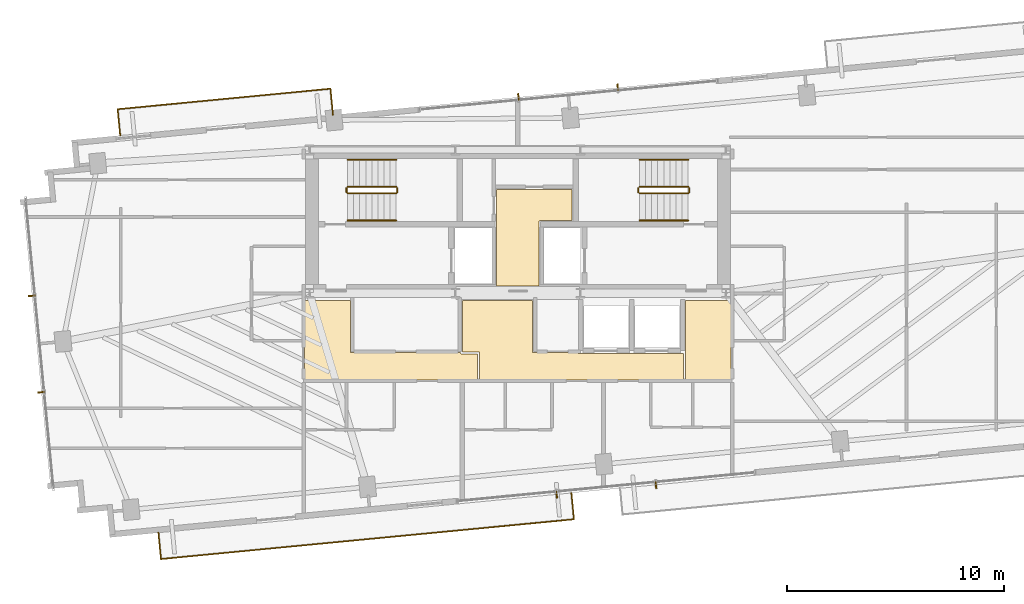
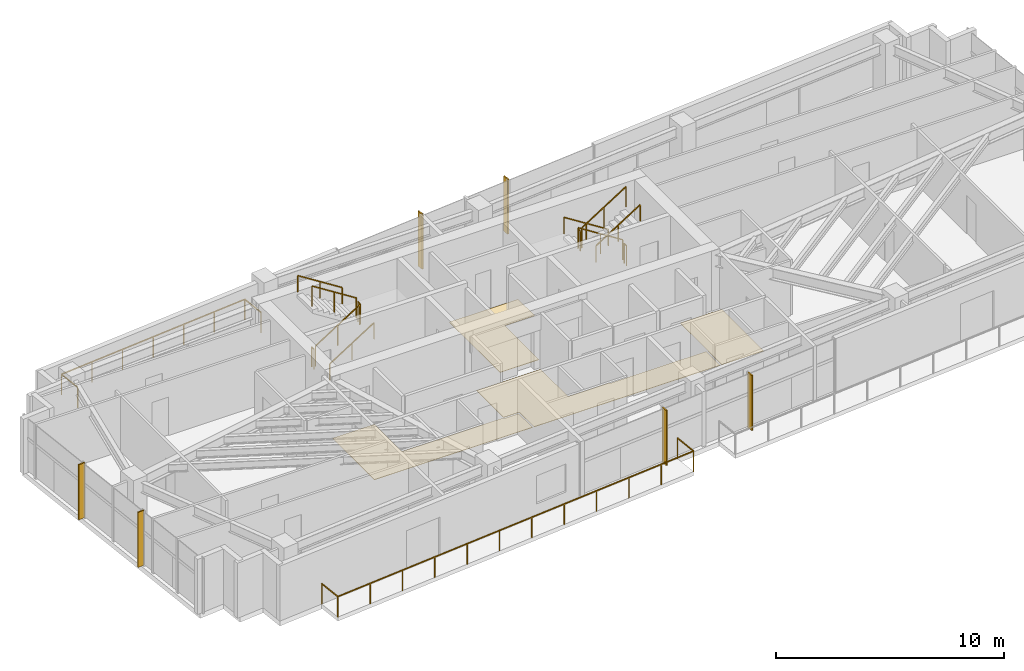
# One storey, part 17 of 18: 14 railings, 6 shading devices, 4 coverings.
"""IFC4 building model written with IfcOpenShell, lengths in metres."""

from ifc_helpers import new_model, si_unit, direction, frame, origin, origin_2d, place, context, subcontext, project, spatial, polyline, rectangle, outline, extrude, source, transform, mapped, material, layer, layer_set, type_object, type_shapes, element, save


model = new_model("IFC4")

# Units and contexts
model_context = context("Model", 3, precision=1e-05, world=origin(), true_north=direction((0.0, 1.0)))
body_context = subcontext(model_context, "Body", "Model", "MODEL_VIEW")
ifc_project = project(units=[si_unit("LENGTHUNIT", "METRE"), si_unit("AREAUNIT", "SQUARE_METRE"), si_unit("VOLUMEUNIT", "CUBIC_METRE"), si_unit("PLANEANGLEUNIT", "RADIAN"), si_unit("MASSUNIT", "GRAM", prefix="KILO")], contexts=[model_context])

# Site, building, storey
site_placement = place(None, origin())
site = spatial("IfcSite", under=ifc_project, at=site_placement, CompositionType="ELEMENT")
building_placement = place(site_placement, origin())
building = spatial("IfcBuilding", under=site, at=building_placement, Name="Astriad Promenade Condominiums", CompositionType="ELEMENT")
storey_placement = place(building_placement, frame((0.0, 0.0, 198.60009765625)))
storey = spatial("IfcBuildingStorey", under=building, at=storey_placement, Name="L57", CompositionType="ELEMENT", Elevation=198.60009765625)

# Coverings
ifc_material_1 = material(Name="Polished Lakefront Terrazzo Flooring")
ifc_layer = layer(ifc_material_1, 0.02001953125)
ifc_layer_set = layer_set([ifc_layer], Name="Polished Lakefront Terrazzo Flooring")
covering_type = type_object("IfcCoveringType", Name="COV-FLOR-TERRAZZO-20", PredefinedType="FLOORING", material=ifc_layer_set)
covering_1_placement = place(storey_placement, origin())
element("IfcCovering", 1, at=covering_1_placement, inside=storey, type_object=covering_type, Name="FLR-L57-CSL", PredefinedType="FLOORING", context=body_context, shape_type="SweptSolid", body=[
    extrude(outline(polyline([(36.97998046875, 20.699951171875), (36.97998046875, 17.739990234375), (35.02001953125, 17.739990234375), (35.02001953125, 22.179931640625), (38.5, 22.179931640625), (38.5, 20.739990234375), (37.02001953125, 20.739990234375), (37.01611328125, 20.73974609375), (37.01220703125, 20.7392578125), (37.00830078125, 20.73828125), (37.004638671875, 20.737060546875), (37.001220703125, 20.7353515625), (36.997802734375, 20.7333984375), (36.99462890625, 20.73095703125), (36.99169921875, 20.728271484375), (36.989013671875, 20.725341796875), (36.98681640625, 20.72216796875), (36.984619140625, 20.718994140625), (36.98291015625, 20.71533203125), (36.981689453125, 20.711669921875), (36.980712890625, 20.707763671875), (36.980224609375, 20.703857421875), (36.97998046875, 20.699951171875)])), origin(), (0.0, 0.0, 1.0), 0.02001953125),
])
covering_2_placement = place(storey_placement, origin())
element("IfcCovering", 2, at=covering_2_placement, inside=storey, type_object=covering_type, Name="FLR-L57-LLB", PredefinedType="FLOORING", context=body_context, shape_type="SweptSolid", body=[
    extrude(outline(polyline([(43.639892578125, 14.610107421875), (43.639892578125, 13.39990234375), (34.239990234375, 13.39990234375), (34.239990234375, 14.64990234375), (34.23974609375, 14.65380859375), (34.2392578125, 14.65771484375), (34.23828125, 14.66162109375), (34.237060546875, 14.665283203125), (34.2353515625, 14.6689453125), (34.2333984375, 14.672119140625), (34.23095703125, 14.67529296875), (34.228271484375, 14.67822265625), (34.225341796875, 14.680908203125), (34.22216796875, 14.683349609375), (34.218994140625, 14.685302734375), (34.21533203125, 14.68701171875), (34.211669921875, 14.688232421875), (34.207763671875, 14.689208984375), (34.203857421875, 14.689697265625), (34.199951171875, 14.68994140625), (33.43994140625, 14.68994140625), (33.43994140625, 17.06005859375), (36.679931640625, 17.06005859375), (36.679931640625, 14.699951171875), (36.68017578125, 14.696044921875), (36.680908203125, 14.692138671875), (36.681640625, 14.6884765625), (36.68310546875, 14.684814453125), (36.684814453125, 14.68115234375), (36.686767578125, 14.677734375), (36.689208984375, 14.674560546875), (36.691650390625, 14.671630859375), (36.694580078125, 14.669189453125), (36.69775390625, 14.666748046875), (36.701171875, 14.664794921875), (36.70458984375, 14.6630859375), (36.70849609375, 14.66162109375), (36.712158203125, 14.660888671875), (36.716064453125, 14.66015625), (36.719970703125, 14.659912109375), (38.760009765625, 14.659912109375), (38.760009765625, 14.64990234375), (38.76025390625, 14.64599609375), (38.7607421875, 14.64208984375), (38.76171875, 14.638427734375), (38.762939453125, 14.634765625), (38.7646484375, 14.631103515625), (38.7666015625, 14.627685546875), (38.76904296875, 14.62451171875), (38.771728515625, 14.62158203125), (38.774658203125, 14.619140625), (38.77783203125, 14.61669921875), (38.781005859375, 14.61474609375), (38.78466796875, 14.613037109375), (38.788330078125, 14.61181640625), (38.792236328125, 14.61083984375), (38.796142578125, 14.610107421875), (38.800048828125, 14.610107421875), (43.639892578125, 14.610107421875)])), origin(), (0.0, 0.0, 1.0), 0.02001953125),
])
covering_3_placement = place(storey_placement, origin())
element("IfcCovering", 3, at=covering_3_placement, inside=storey, type_object=covering_type, Name="FLR-L57-COR-1", PredefinedType="FLOORING", context=body_context, shape_type="SweptSolid", body=[
    extrude(outline(polyline([(43.72998046875, 13.39990234375), (43.72998046875, 14.62353515625), (43.73095703125, 14.62451171875), (43.7333984375, 14.627685546875), (43.7353515625, 14.631103515625), (43.737060546875, 14.634765625), (43.73828125, 14.638427734375), (43.7392578125, 14.64208984375), (43.73974609375, 14.64599609375), (43.739990234375, 14.64990234375), (43.739990234375, 17.06005859375), (45.840087890625, 17.06005859375), (45.840087890625, 13.39990234375), (43.72998046875, 13.39990234375)])), origin(), (0.0, 0.0, 1.0), 0.02001953125),
])
covering_4_placement = place(storey_placement, origin())
element("IfcCovering", 4, at=covering_4_placement, inside=storey, type_object=covering_type, Name="FLR-L57-COR-2", PredefinedType="FLOORING", context=body_context, shape_type="SweptSolid", body=[
    extrude(outline(polyline([(26.159912109375, 13.39990234375), (26.159912109375, 17.06005859375), (28.280029296875, 17.06005859375), (28.280029296875, 14.699951171875), (28.2802734375, 14.696044921875), (28.28076171875, 14.692138671875), (28.28173828125, 14.6884765625), (28.282958984375, 14.684814453125), (28.28466796875, 14.68115234375), (28.28662109375, 14.677734375), (28.2890625, 14.674560546875), (28.291748046875, 14.671630859375), (28.294677734375, 14.669189453125), (28.2978515625, 14.666748046875), (28.301025390625, 14.664794921875), (28.3046875, 14.6630859375), (28.308349609375, 14.66162109375), (28.312255859375, 14.660888671875), (28.316162109375, 14.66015625), (28.320068359375, 14.659912109375), (33.35009765625, 14.659912109375), (33.35009765625, 14.64892578125), (33.35009765625, 14.64501953125), (33.350830078125, 14.64111328125), (33.35107421875, 14.64013671875), (33.351318359375, 14.639404296875), (33.351318359375, 14.638427734375), (33.352294921875, 14.634521484375), (33.353759765625, 14.630859375), (33.3544921875, 14.629150390625), (33.356201171875, 14.6259765625), (33.356689453125, 14.625), (33.35888671875, 14.62158203125), (33.3603515625, 14.61962890625), (33.36083984375, 14.618896484375), (33.361083984375, 14.61865234375), (33.361328125, 14.618408203125), (33.361572265625, 14.617919921875), (33.36328125, 14.615966796875), (33.365966796875, 14.61328125), (33.367919921875, 14.611572265625), (33.368408203125, 14.611328125), (33.36865234375, 14.611083984375), (33.368896484375, 14.61083984375), (33.36962890625, 14.6103515625), (33.37158203125, 14.60888671875), (33.375, 14.606689453125), (33.3759765625, 14.606201171875), (33.379150390625, 14.6044921875), (33.3798828125, 14.604248046875), (33.380859375, 14.603759765625), (33.384521484375, 14.602294921875), (33.388427734375, 14.601318359375), (33.389404296875, 14.601318359375), (33.39013671875, 14.60107421875), (33.39111328125, 14.600830078125), (33.39501953125, 14.60009765625), (33.39892578125, 14.60009765625), (34.14990234375, 14.60009765625), (34.14990234375, 13.39990234375), (26.159912109375, 13.39990234375)])), origin(), (0.0, 0.0, 1.0), 0.02001953125),
])

# Shading devices
ifc_material_2 = material(Name="Anodised aluminium 6063-T6 Black Fin", Category="aluminium")
shading_device_type = type_object("IfcShadingDeviceType", Name="FIN-BLACK-260", PredefinedType="USERDEFINED", material=ifc_material_2)
shared_shape_1 = source(origin(), body_context, "Body", "SweptSolid", [
    extrude(rectangle(XDim=0.06494140625, YDim=0.320068359375, at=origin_2d()), origin(), (0.0, 0.0, 1.0), 2.93994140625),
])
type_shapes(shading_device_type, [shared_shape_1])
for number, where, z_axis, x_axis, name in (
    (5, (14.021484375, 12.83203125, 0.0), (0.0, 0.0, 1.0), (-0.09584575252, 0.995396198367, 0.0), "CW-L57-W-FIN-01"),
    (6, (13.59326171875, 17.278076171875, 0.0), (0.0, 0.0, 1.0), (-0.09584575252, 0.995396198367, 0.0), "CW-L57-W-FIN-02"),
    (7, (36.02783203125, 26.447265625, 0.0), (0.0, 0.0, 1.0), (0.995396198367, 0.09584575252, 0.0), "CW-L57-N-FIN-01"),
    (8, (40.606689453125, 26.88818359375, 0.0), (0.0, 0.0, 1.0), (0.995396198367, 0.09584575252, 0.0), "CW-L57-N-FIN-02"),
    (9, (42.3720703125, 8.552734375, 0.0), (0.0, 0.0, 1.0), (-0.995396198367, -0.09584575252, 0.0), "CW-L57-S-FIN-01"),
    (10, (37.793212890625, 8.11181640625, 0.0), (0.0, 0.0, 1.0), (-0.995396198367, -0.09584575252, 0.0), "CW-L57-S-FIN-02"),
):
    element("IfcShadingDevice", number, at=place(storey_placement, frame(where, z_axis=z_axis, x_axis=x_axis)), inside=storey, type_object=shading_device_type, Name=name, ObjectType="FIN", PredefinedType="USERDEFINED", context=body_context, shape_type="MappedRepresentation", body=[
        mapped(shared_shape_1, transform((0.0, 0.0, 0.0), scale=1.0)),
    ])

# Railings
ifc_material_3 = material(Name="Laminated Glass and Stainless Steel Balustrade", Category="steel")
railing_type_1 = type_object("IfcRailingType", Name="GRD-BALC-1120", PredefinedType="BALUSTRADE", material=ifc_material_3)
shared_shape_2 = source(origin(), body_context, "Body", "SweptSolid", [
    extrude(rectangle(XDim=0.048095703125, YDim=0.048095703125, at=origin_2d()), frame((0.0, 0.0, 1.09619140625), z_axis=(0.095857307208, -0.99539508571, 0.0), x_axis=(0.99539508571, 0.095857307208, 0.0)), (0.0, 0.0, 1.0), 1.219970703125),
    extrude(rectangle(XDim=0.048095703125, YDim=0.048095703125, at=origin_2d()), frame((0.116943359375, -1.21435546875, 1.09619140625), z_axis=(0.99539639391, 0.095843721707, 0.0), x_axis=(-0.095843721707, 0.99539639391, 0.0)), (0.0, 0.0, 1.0), 19.130126953125),
    extrude(rectangle(XDim=0.048095703125, YDim=0.048095703125, at=origin_2d()), frame((19.158935546875, 0.619140625, 1.09619140625), z_axis=(-0.095857307208, 0.99539508571, 0.0), x_axis=(-0.99539508571, -0.095857307208, 0.0)), (0.0, 0.0, 1.0), 1.219970703125),
    extrude(rectangle(XDim=0.0419921875, YDim=0.0419921875, at=origin_2d()), origin(), (0.0, 0.0, 1.0), 1.072021484375),
    extrude(rectangle(XDim=0.0419921875, YDim=0.0419921875, at=origin_2d()), frame((0.116943359375, -1.21435546875, 0.0)), (0.0, 0.0, 1.0), 1.072021484375),
    extrude(rectangle(XDim=0.0419921875, YDim=0.0419921875, at=origin_2d()), frame((1.84814453125, -1.047607421875, 0.0)), (0.0, 0.0, 1.0), 1.072021484375),
    extrude(rectangle(XDim=0.0419921875, YDim=0.0419921875, at=origin_2d()), frame((3.5791015625, -0.881103515625, 0.0)), (0.0, 0.0, 1.0), 1.072021484375),
    extrude(rectangle(XDim=0.0419921875, YDim=0.0419921875, at=origin_2d()), frame((5.310302734375, -0.71435546875, 0.0)), (0.0, 0.0, 1.0), 1.072021484375),
    extrude(rectangle(XDim=0.0419921875, YDim=0.0419921875, at=origin_2d()), frame((7.041259765625, -0.547607421875, 0.0)), (0.0, 0.0, 1.0), 1.072021484375),
    extrude(rectangle(XDim=0.0419921875, YDim=0.0419921875, at=origin_2d()), frame((8.7724609375, -0.380859375, 0.0)), (0.0, 0.0, 1.0), 1.072021484375),
    extrude(rectangle(XDim=0.0419921875, YDim=0.0419921875, at=origin_2d()), frame((10.50341796875, -0.21435546875, 0.0)), (0.0, 0.0, 1.0), 1.072021484375),
    extrude(rectangle(XDim=0.0419921875, YDim=0.0419921875, at=origin_2d()), frame((12.234619140625, -0.047607421875, 0.0)), (0.0, 0.0, 1.0), 1.072021484375),
    extrude(rectangle(XDim=0.0419921875, YDim=0.0419921875, at=origin_2d()), frame((13.965576171875, 0.119140625, 0.0)), (0.0, 0.0, 1.0), 1.072021484375),
    extrude(rectangle(XDim=0.0419921875, YDim=0.0419921875, at=origin_2d()), frame((15.69677734375, 0.285888671875, 0.0)), (0.0, 0.0, 1.0), 1.072021484375),
    extrude(rectangle(XDim=0.0419921875, YDim=0.0419921875, at=origin_2d()), frame((17.427734375, 0.452392578125, 0.0)), (0.0, 0.0, 1.0), 1.072021484375),
    extrude(rectangle(XDim=0.0419921875, YDim=0.0419921875, at=origin_2d()), frame((19.158935546875, 0.619140625, 0.0)), (0.0, 0.0, 1.0), 1.072021484375),
    extrude(rectangle(XDim=0.0419921875, YDim=0.0419921875, at=origin_2d()), frame((19.0419921875, 1.83349609375, 0.0)), (0.0, 0.0, 1.0), 1.072021484375),
])
railing_1_placement = place(storey_placement, frame((19.42919921875, 6.353759765625, 0.0)))
element("IfcRailing", 11, at=railing_1_placement, inside=storey, type_object=railing_type_1, Name="GRD-BALC-L57-SW", PredefinedType="BALUSTRADE", context=body_context, shape_type="MappedRepresentation", body=[
    mapped(shared_shape_2, transform((0.0, 0.0, 0.0), scale=1.0)),
])
shared_shape_3 = source(origin(), body_context, "Body", "SweptSolid", [
    extrude(rectangle(XDim=0.048095703125, YDim=0.048095703125, at=origin_2d()), frame((0.0, 0.0, 1.09619140625), z_axis=(-0.096055582315, 0.995375971734, 0.0), x_axis=(-0.995375971734, -0.096055582315, 0.0)), (0.0, 0.0, 1.0), 1.219970703125),
    extrude(rectangle(XDim=0.048095703125, YDim=0.048095703125, at=origin_2d()), frame((-0.1171875, 1.21435546875, 1.09619140625), z_axis=(-0.99539395209, -0.095869078138, 0.0), x_axis=(0.095869078138, -0.99539395209, 0.0)), (0.0, 0.0, 1.0), 9.85791015625),
    extrude(rectangle(XDim=0.048095703125, YDim=0.048095703125, at=origin_2d()), frame((-9.9296875, 0.269287109375, 1.09619140625), z_axis=(0.095857307208, -0.99539508571, 0.0), x_axis=(0.99539508571, 0.095857307208, 0.0)), (0.0, 0.0, 1.0), 1.219970703125),
    extrude(rectangle(XDim=0.0419921875, YDim=0.0419921875, at=origin_2d()), origin(), (0.0, 0.0, 1.0), 1.072021484375),
    extrude(rectangle(XDim=0.0419921875, YDim=0.0419921875, at=origin_2d()), frame((-0.1171875, 1.21435546875, 0.0)), (0.0, 0.0, 1.0), 1.072021484375),
    extrude(rectangle(XDim=0.0419921875, YDim=0.0419921875, at=origin_2d()), frame((-1.752685546875, 1.056884765625, 0.0)), (0.0, 0.0, 1.0), 1.072021484375),
    extrude(rectangle(XDim=0.0419921875, YDim=0.0419921875, at=origin_2d()), frame((-3.387939453125, 0.8994140625, 0.0)), (0.0, 0.0, 1.0), 1.072021484375),
    extrude(rectangle(XDim=0.0419921875, YDim=0.0419921875, at=origin_2d()), frame((-5.0234375, 0.74169921875, 0.0)), (0.0, 0.0, 1.0), 1.072021484375),
    extrude(rectangle(XDim=0.0419921875, YDim=0.0419921875, at=origin_2d()), frame((-6.658935546875, 0.584228515625, 0.0)), (0.0, 0.0, 1.0), 1.072021484375),
    extrude(rectangle(XDim=0.0419921875, YDim=0.0419921875, at=origin_2d()), frame((-8.294189453125, 0.4267578125, 0.0)), (0.0, 0.0, 1.0), 1.072021484375),
    extrude(rectangle(XDim=0.0419921875, YDim=0.0419921875, at=origin_2d()), frame((-9.9296875, 0.269287109375, 0.0)), (0.0, 0.0, 1.0), 1.072021484375),
    extrude(rectangle(XDim=0.0419921875, YDim=0.0419921875, at=origin_2d()), frame((-9.812744140625, -0.945068359375, 0.0)), (0.0, 0.0, 1.0), 1.072021484375),
])
type_shapes(railing_type_1, [shared_shape_2, shared_shape_3])
railing_2_placement = place(storey_placement, frame((27.478515625, 25.614013671875, 0.0)))
element("IfcRailing", 12, at=railing_2_placement, inside=storey, type_object=railing_type_1, Name="GRD-BALC-L57-NW", PredefinedType="BALUSTRADE", context=body_context, shape_type="MappedRepresentation", body=[
    mapped(shared_shape_3, transform((0.0, 0.0, 0.0), scale=1.0)),
])
ifc_material_4 = material(Name="Painted Galvanised Steel Guardrail", Category="steel")
railing_type_2 = type_object("IfcRailingType", Name="GRD-STAIR-1100", PredefinedType="GUARDRAIL", material=ifc_material_4)
shared_shape_4 = source(origin(), body_context, "Body", "SweptSolid", [
    extrude(rectangle(XDim=0.048095703125, YDim=0.048095703125, at=origin_2d()), frame((0.0, 0.0, 1.076171875), z_axis=(0.0, 1.0, 0.0), x_axis=(-1.0, 0.0, 0.0)), (0.0, 0.0, 1.0), 0.199951171875),
    extrude(rectangle(XDim=0.0419921875, YDim=0.0419921875, at=origin_2d()), origin(), (0.0, 0.0, 1.0), 1.052001953125),
    extrude(rectangle(XDim=0.0419921875, YDim=0.0419921875, at=origin_2d()), frame((0.0, 0.199951171875, 0.0)), (0.0, 0.0, 1.0), 1.052001953125),
])
for number, where, name in (
    (13, (30.43994140625, 22.050048828125, 1.599853515625), "L57 ST-1 stair guard 2"),
    (14, (28.10009765625, 22.050048828125, 0.0), "L57 ST-1 stair guard 4"),
):
    element("IfcRailing", number, at=place(storey_placement, frame(where)), inside=storey, type_object=railing_type_2, Name=name, PredefinedType="GUARDRAIL", context=body_context, shape_type="MappedRepresentation", body=[
        mapped(shared_shape_4, transform((0.0, 0.0, 0.0), scale=1.0)),
    ])
shared_shape_5 = source(origin(), body_context, "Body", "SweptSolid", [
    extrude(rectangle(XDim=0.048095703125, YDim=0.048095703125, at=origin_2d()), frame((0.0, 0.0, 1.076171875), z_axis=(0.84418770128, 0.0, 0.536047689118), x_axis=(0.0, 1.0, 0.0)), (0.0, 0.0, 1.0), 2.6533203125),
    extrude(rectangle(XDim=0.0419921875, YDim=0.0419921875, at=origin_2d()), origin(), (0.0, 0.0, 1.0), 1.052001953125),
    extrude(rectangle(XDim=0.0419921875, YDim=0.0419921875, at=origin_2d()), frame((1.1201171875, 0.0, 0.711181640625)), (0.0, 0.0, 1.0), 1.052001953125),
    extrude(rectangle(XDim=0.0419921875, YDim=0.0419921875, at=origin_2d()), frame((2.239990234375, 0.0, 1.42236328125)), (0.0, 0.0, 1.0), 1.052001953125),
])
railing_3_placement = place(storey_placement, frame((41.610107421875, 22.0, 1.777587890625)))
element("IfcRailing", 15, at=railing_3_placement, inside=storey, type_object=railing_type_2, Name="L57 ST-2 stair guard 3", PredefinedType="GUARDRAIL", context=body_context, shape_type="MappedRepresentation", body=[
    mapped(shared_shape_5, transform((0.0, 0.0, 0.0), scale=1.0)),
])
shared_shape_6 = source(origin(), body_context, "Body", "SweptSolid", [
    extrude(rectangle(XDim=0.048095703125, YDim=0.048095703125, at=origin_2d()), frame((0.0, 0.0, 1.076171875), z_axis=(-0.8442293374, 0.0, 0.53598211339), x_axis=(0.0, -1.0, 0.0)), (0.0, 0.0, 1.0), 2.6533203125),
    extrude(rectangle(XDim=0.0419921875, YDim=0.0419921875, at=origin_2d()), origin(), (0.0, 0.0, 1.0), 1.052001953125),
    extrude(rectangle(XDim=0.0419921875, YDim=0.0419921875, at=origin_2d()), frame((-1.1201171875, 0.0, 0.7109375)), (0.0, 0.0, 1.0), 1.052001953125),
    extrude(rectangle(XDim=0.0419921875, YDim=0.0419921875, at=origin_2d()), frame((-2.239990234375, 0.0, 1.422119140625)), (0.0, 0.0, 1.0), 1.052001953125),
])
railing_4_placement = place(storey_placement, frame((43.85009765625, 22.300048828125, 0.177734375)))
element("IfcRailing", 16, at=railing_4_placement, inside=storey, type_object=railing_type_2, Name="L57 ST-2 stair guard 1", PredefinedType="GUARDRAIL", context=body_context, shape_type="MappedRepresentation", body=[
    mapped(shared_shape_6, transform((0.0, 0.0, 0.0), scale=1.0)),
])
ifc_material_5 = material(Name="Brushed Stainless Steel Handrail", Category="steel")
railing_type_3 = type_object("IfcRailingType", Name="HRL-STAIR-920", PredefinedType="HANDRAIL", material=ifc_material_5)
shared_shape_7 = source(origin(), body_context, "Body", "SweptSolid", [
    extrude(rectangle(XDim=0.048095703125, YDim=0.048095703125, at=origin_2d()), frame((0.0, 0.0, 0.8759765625), z_axis=(0.84418770128, 0.0, 0.536047689118), x_axis=(0.0, 1.0, 0.0)), (0.0, 0.0, 1.0), 2.6533203125),
    extrude(rectangle(XDim=0.0419921875, YDim=0.0419921875, at=origin_2d()), origin(), (0.0, 0.0, 1.0), 0.851806640625),
    extrude(rectangle(XDim=0.0419921875, YDim=0.0419921875, at=origin_2d()), frame((1.1201171875, 0.0, 0.711181640625)), (0.0, 0.0, 1.0), 0.851806640625),
    extrude(rectangle(XDim=0.0419921875, YDim=0.0419921875, at=origin_2d()), frame((2.239990234375, 0.0, 1.42236328125)), (0.0, 0.0, 1.0), 0.851806640625),
])
railing_5_placement = place(storey_placement, frame((41.610107421875, 20.75, 1.777587890625)))
element("IfcRailing", 17, at=railing_5_placement, inside=storey, type_object=railing_type_3, Name="L57 ST-2 stair handrail 2", PredefinedType="HANDRAIL", context=body_context, shape_type="MappedRepresentation", body=[
    mapped(shared_shape_7, transform((0.0, 0.0, 0.0), scale=1.0)),
])
shared_shape_8 = source(origin(), body_context, "Body", "SweptSolid", [
    extrude(rectangle(XDim=0.048095703125, YDim=0.048095703125, at=origin_2d()), frame((0.0, 0.0, 0.8759765625), z_axis=(-0.8442293374, 0.0, 0.53598211339), x_axis=(0.0, -1.0, 0.0)), (0.0, 0.0, 1.0), 2.6533203125),
    extrude(rectangle(XDim=0.0419921875, YDim=0.0419921875, at=origin_2d()), origin(), (0.0, 0.0, 1.0), 0.851806640625),
    extrude(rectangle(XDim=0.0419921875, YDim=0.0419921875, at=origin_2d()), frame((-1.1201171875, 0.0, 0.7109375)), (0.0, 0.0, 1.0), 0.851806640625),
    extrude(rectangle(XDim=0.0419921875, YDim=0.0419921875, at=origin_2d()), frame((-2.239990234375, 0.0, 1.422119140625)), (0.0, 0.0, 1.0), 0.851806640625),
])
railing_6_placement = place(storey_placement, frame((43.85009765625, 23.550048828125, 0.177734375)))
element("IfcRailing", 18, at=railing_6_placement, inside=storey, type_object=railing_type_3, Name="L57 ST-2 stair handrail 1", PredefinedType="HANDRAIL", context=body_context, shape_type="MappedRepresentation", body=[
    mapped(shared_shape_8, transform((0.0, 0.0, 0.0), scale=1.0)),
])
shared_shape_9 = source(origin(), body_context, "Body", "SweptSolid", [
    extrude(rectangle(XDim=0.048095703125, YDim=0.048095703125, at=origin_2d()), frame((0.0, 0.0, 1.076171875), z_axis=(0.8442293374, 0.0, 0.53598211339), x_axis=(0.0, 1.0, 0.0)), (0.0, 0.0, 1.0), 2.6533203125),
    extrude(rectangle(XDim=0.0419921875, YDim=0.0419921875, at=origin_2d()), origin(), (0.0, 0.0, 1.0), 1.052001953125),
    extrude(rectangle(XDim=0.0419921875, YDim=0.0419921875, at=origin_2d()), frame((1.1201171875, 0.0, 0.7109375)), (0.0, 0.0, 1.0), 1.052001953125),
    extrude(rectangle(XDim=0.0419921875, YDim=0.0419921875, at=origin_2d()), frame((2.239990234375, 0.0, 1.422119140625)), (0.0, 0.0, 1.0), 1.052001953125),
])
railing_7_placement = place(storey_placement, frame((28.14990234375, 22.0, 0.177734375)))
element("IfcRailing", 19, at=railing_7_placement, inside=storey, type_object=railing_type_2, Name="L57 ST-1 stair guard 1", PredefinedType="GUARDRAIL", context=body_context, shape_type="MappedRepresentation", body=[
    mapped(shared_shape_9, transform((0.0, 0.0, 0.0), scale=1.0)),
])
shared_shape_10 = source(origin(), body_context, "Body", "SweptSolid", [
    extrude(rectangle(XDim=0.048095703125, YDim=0.048095703125, at=origin_2d()), frame((0.0, 0.0, 1.076171875), z_axis=(-0.84418770128, 0.0, 0.536047689118), x_axis=(0.0, -1.0, 0.0)), (0.0, 0.0, 1.0), 2.6533203125),
    extrude(rectangle(XDim=0.0419921875, YDim=0.0419921875, at=origin_2d()), origin(), (0.0, 0.0, 1.0), 1.052001953125),
    extrude(rectangle(XDim=0.0419921875, YDim=0.0419921875, at=origin_2d()), frame((-1.1201171875, 0.0, 0.711181640625)), (0.0, 0.0, 1.0), 1.052001953125),
    extrude(rectangle(XDim=0.0419921875, YDim=0.0419921875, at=origin_2d()), frame((-2.239990234375, 0.0, 1.42236328125)), (0.0, 0.0, 1.0), 1.052001953125),
])
railing_8_placement = place(storey_placement, frame((30.389892578125, 22.300048828125, 1.777587890625)))
element("IfcRailing", 20, at=railing_8_placement, inside=storey, type_object=railing_type_2, Name="L57 ST-1 stair guard 3", PredefinedType="GUARDRAIL", context=body_context, shape_type="MappedRepresentation", body=[
    mapped(shared_shape_10, transform((0.0, 0.0, 0.0), scale=1.0)),
])
shared_shape_11 = source(origin(), body_context, "Body", "SweptSolid", [
    extrude(rectangle(XDim=0.048095703125, YDim=0.048095703125, at=origin_2d()), frame((0.0, 0.0, 0.8759765625), z_axis=(0.8442293374, 0.0, 0.53598211339), x_axis=(0.0, 1.0, 0.0)), (0.0, 0.0, 1.0), 2.6533203125),
    extrude(rectangle(XDim=0.0419921875, YDim=0.0419921875, at=origin_2d()), origin(), (0.0, 0.0, 1.0), 0.851806640625),
    extrude(rectangle(XDim=0.0419921875, YDim=0.0419921875, at=origin_2d()), frame((1.1201171875, 0.0, 0.7109375)), (0.0, 0.0, 1.0), 0.851806640625),
    extrude(rectangle(XDim=0.0419921875, YDim=0.0419921875, at=origin_2d()), frame((2.239990234375, 0.0, 1.422119140625)), (0.0, 0.0, 1.0), 0.851806640625),
])
railing_9_placement = place(storey_placement, frame((28.14990234375, 20.75, 0.177734375)))
element("IfcRailing", 21, at=railing_9_placement, inside=storey, type_object=railing_type_3, Name="L57 ST-1 stair handrail 1", PredefinedType="HANDRAIL", context=body_context, shape_type="MappedRepresentation", body=[
    mapped(shared_shape_11, transform((0.0, 0.0, 0.0), scale=1.0)),
])
shared_shape_12 = source(origin(), body_context, "Body", "SweptSolid", [
    extrude(rectangle(XDim=0.048095703125, YDim=0.048095703125, at=origin_2d()), frame((0.0, 0.0, 0.8759765625), z_axis=(-0.84418770128, 0.0, 0.536047689118), x_axis=(0.0, -1.0, 0.0)), (0.0, 0.0, 1.0), 2.6533203125),
    extrude(rectangle(XDim=0.0419921875, YDim=0.0419921875, at=origin_2d()), origin(), (0.0, 0.0, 1.0), 0.851806640625),
    extrude(rectangle(XDim=0.0419921875, YDim=0.0419921875, at=origin_2d()), frame((-1.1201171875, 0.0, 0.711181640625)), (0.0, 0.0, 1.0), 0.851806640625),
    extrude(rectangle(XDim=0.0419921875, YDim=0.0419921875, at=origin_2d()), frame((-2.239990234375, 0.0, 1.42236328125)), (0.0, 0.0, 1.0), 0.851806640625),
])
type_shapes(railing_type_3, [shared_shape_7, shared_shape_8, shared_shape_11, shared_shape_12])
railing_10_placement = place(storey_placement, frame((30.389892578125, 23.550048828125, 1.777587890625)))
element("IfcRailing", 22, at=railing_10_placement, inside=storey, type_object=railing_type_3, Name="L57 ST-1 stair handrail 2", PredefinedType="HANDRAIL", context=body_context, shape_type="MappedRepresentation", body=[
    mapped(shared_shape_12, transform((0.0, 0.0, 0.0), scale=1.0)),
])
shared_shape_13 = source(origin(), body_context, "Body", "SweptSolid", [
    extrude(rectangle(XDim=0.048095703125, YDim=0.048095703125, at=origin_2d()), frame((0.0, 0.0, 1.076171875), z_axis=(0.0, -1.0, 0.0), x_axis=(1.0, 0.0, 0.0)), (0.0, 0.0, 1.0), 0.199951171875),
    extrude(rectangle(XDim=0.0419921875, YDim=0.0419921875, at=origin_2d()), origin(), (0.0, 0.0, 1.0), 1.052001953125),
    extrude(rectangle(XDim=0.0419921875, YDim=0.0419921875, at=origin_2d()), frame((0.0, -0.199951171875, 0.0)), (0.0, 0.0, 1.0), 1.052001953125),
])
type_shapes(railing_type_2, [shared_shape_4, shared_shape_5, shared_shape_6, shared_shape_9, shared_shape_10, shared_shape_13])
for number, where, name in (
    (23, (41.56005859375, 22.25, 1.599853515625), "L57 ST-2 stair guard 2"),
    (24, (43.89990234375, 22.25, 0.0), "L57 ST-2 stair guard 4"),
):
    element("IfcRailing", number, at=place(storey_placement, frame(where)), inside=storey, type_object=railing_type_2, Name=name, PredefinedType="GUARDRAIL", context=body_context, shape_type="MappedRepresentation", body=[
        mapped(shared_shape_13, transform((0.0, 0.0, 0.0), scale=1.0)),
    ])

save(model, "model.ifc")
